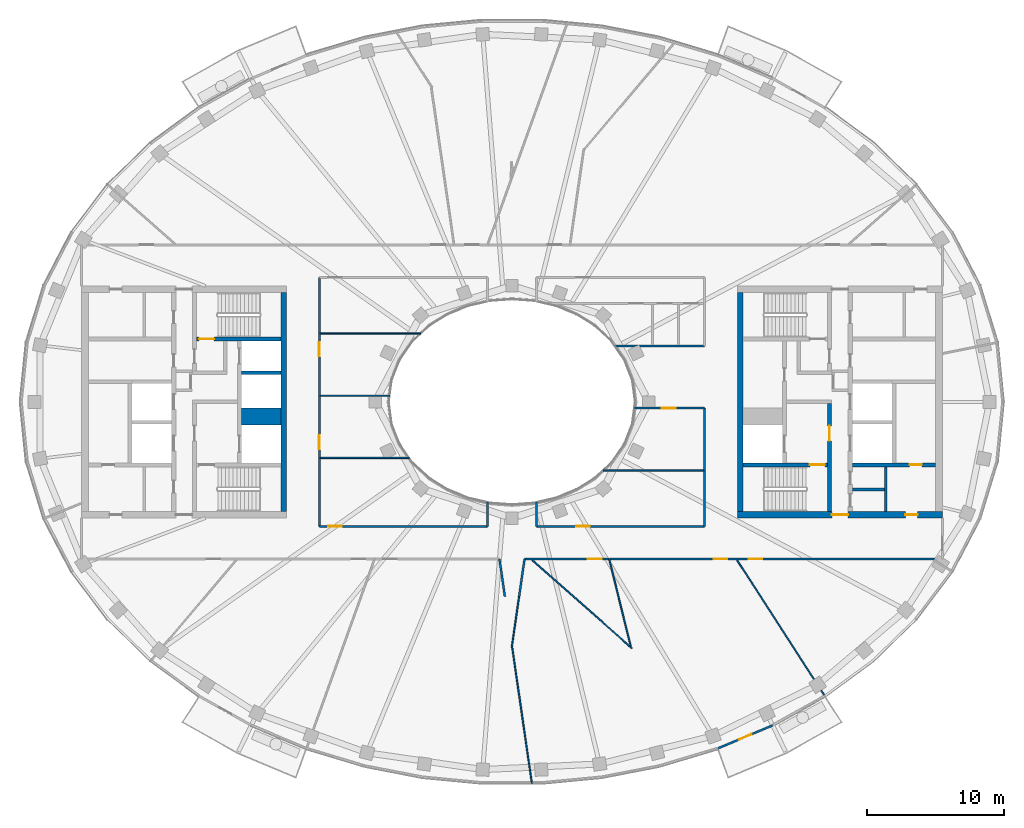
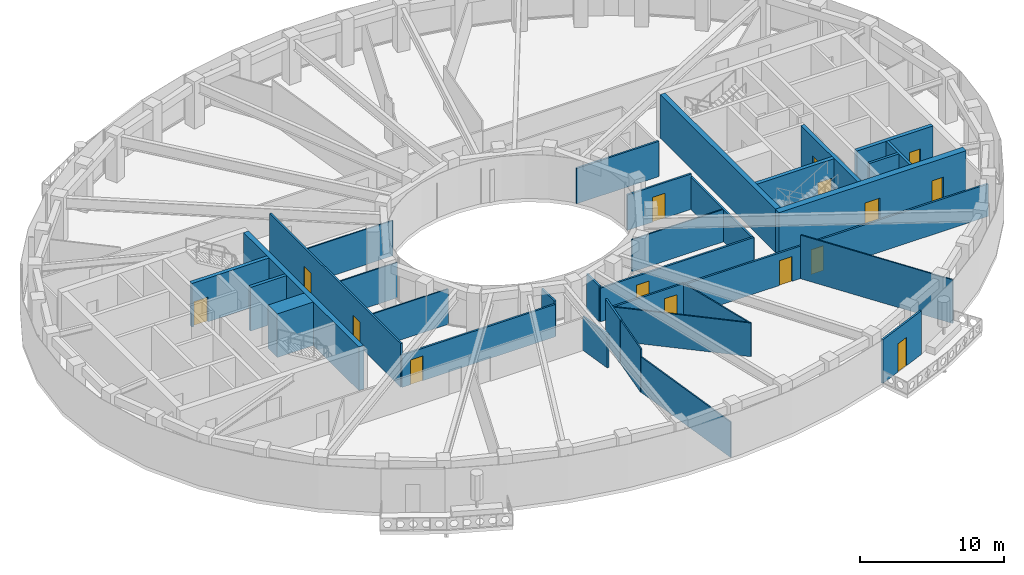
# One storey, part 4 of 15: 33 walls, 15 doors, 15 openings.
"""IFC4 building model written with IfcOpenShell, lengths in metres."""

from ifc_helpers import new_model, si_unit, direction, frame, frame_2d, origin, place, context, subcontext, project, spatial, rectangle, extrude, material, layer, layer_set, type_object, element, fill, save


model = new_model("IFC4")

# Units and contexts
model_context = context("Model", 3, precision=1e-05, world=origin(), true_north=direction((0.0, 1.0)))
body_context = subcontext(model_context, "Body", "Model", "MODEL_VIEW")
ifc_project = project(units=[si_unit("LENGTHUNIT", "METRE"), si_unit("AREAUNIT", "SQUARE_METRE"), si_unit("VOLUMEUNIT", "CUBIC_METRE"), si_unit("PLANEANGLEUNIT", "RADIAN"), si_unit("MASSUNIT", "GRAM", prefix="KILO")], contexts=[model_context])

# Site, building, storey
site_placement = place(None, origin())
site = spatial("IfcSite", under=ifc_project, at=site_placement, CompositionType="ELEMENT")
building_placement = place(site_placement, origin())
building = spatial("IfcBuilding", under=site, at=building_placement, Name="Noorbagh Ring Tower", CompositionType="ELEMENT")
storey_placement = place(building_placement, frame((0.0, 0.0, 295.0)))
storey = spatial("IfcBuildingStorey", under=building, at=storey_placement, Name="L63", CompositionType="ELEMENT", Elevation=295.0)

# Walls
ifc_material_1 = material(Name="Gypsum board on steel studs", Category="steel")
ifc_layer_1 = layer(ifc_material_1, 0.199951171875)
ifc_layer_set_1 = layer_set([ifc_layer_1], Name="Gypsum board on steel studs")
wall_type_1 = type_object("IfcWallType", Name="CORE-PARTITION-200", PredefinedType="PARTITIONING", material=ifc_layer_set_1)
wall_1_placement = place(storey_placement, frame((27.35009765625, -8.0, 0.0), z_axis=(0.0, 0.0, 1.0), x_axis=(0.0, 1.0, 0.0)))
element("IfcWall", 1, at=wall_1_placement, inside=storey, type_object=wall_type_1, Name="Core partition E", PredefinedType="PARTITIONING", context=body_context, shape_type="SweptSolid", body=[
    extrude(rectangle(XDim=3.25, YDim=0.199951171875, at=frame_2d((1.625, 0.0))), origin(), (0.0, 0.0, 1.0), 3.699951171875),
])
wall_2_placement = place(storey_placement, frame((24.89990234375, -6.39990234375, 0.0), z_axis=(0.0, 0.0, 1.0), x_axis=(1.0, 0.0, 0.0)))
element("IfcWall", 2, at=wall_2_placement, inside=storey, type_object=wall_type_1, Name="Core partition E", PredefinedType="PARTITIONING", context=body_context, shape_type="SweptSolid", body=[
    extrude(rectangle(XDim=2.35009765625, YDim=0.199951171875, at=frame_2d((1.175048828125, 0.0))), origin(), (0.0, 0.0, 1.0), 3.699951171875),
])
ifc_material_2 = material(Name="Concrete C50/60", Category="concrete")
ifc_layer_2 = layer(ifc_material_2, 1.25)
ifc_layer_set_2 = layer_set([ifc_layer_2], Name="Concrete C50/60")
wall_type_2 = type_object("IfcWallType", Name="CORE-WALL-1250-C50-60-EI120", PredefinedType="SHEAR", material=ifc_layer_set_2)
wall_3_placement = place(storey_placement, frame((-16.89990234375, -1.074951171875, 0.0), z_axis=(0.0, 0.0, 1.0), x_axis=(-1.0, 0.0, 0.0)))
element("IfcWall", 3, at=wall_3_placement, inside=storey, type_object=wall_type_2, Name="Core wall W", PredefinedType="SHEAR", context=body_context, shape_type="SweptSolid", body=[
    extrude(rectangle(XDim=2.900146484375, YDim=1.25, at=frame_2d((1.4501953125, 0.0))), origin(), (0.0, 0.0, 1.0), 3.699951171875),
])
ifc_material_3 = material(Name="Concrete C50/60", Category="concrete")
ifc_layer_3 = layer(ifc_material_3, 0.25)
ifc_layer_set_3 = layer_set([ifc_layer_3], Name="Concrete C50/60")
wall_type_3 = type_object("IfcWallType", Name="CORE-WALL-250-C50-60-EI120", PredefinedType="SHEAR", material=ifc_layer_set_3)
wall_4_placement = place(storey_placement, frame((-16.89990234375, 2.125, 0.0), z_axis=(0.0, 0.0, 1.0), x_axis=(-1.0, 0.0, 0.0)))
element("IfcWall", 4, at=wall_4_placement, inside=storey, type_object=wall_type_3, Name="Core wall W", PredefinedType="SHEAR", context=body_context, shape_type="SweptSolid", body=[
    extrude(rectangle(XDim=2.900146484375, YDim=0.25, at=frame_2d((1.4501953125, 0.0))), origin(), (0.0, 0.0, 1.0), 3.699951171875),
])

# Wall, opening, door
ifc_material_4 = material(Name="Concrete C50/60", Category="concrete")
ifc_layer_4 = layer(ifc_material_4, 0.300048828125)
ifc_layer_set_4 = layer_set([ifc_layer_4], Name="Concrete C50/60")
wall_type_4 = type_object("IfcWallType", Name="CORE-WALL-300-C50-60-EI240", PredefinedType="SHEAR", material=ifc_layer_set_4)
wall_5_placement = place(storey_placement, frame((-16.89990234375, 4.60009765625, 0.0), z_axis=(0.0, 0.0, 1.0), x_axis=(-1.0, 0.0, 0.0)))
wall_5 = element("IfcWall", 5, at=wall_5_placement, inside=storey, type_object=wall_type_4, Name="Core wall W", PredefinedType="SHEAR", context=body_context, shape_type="SweptSolid", body=[
    extrude(rectangle(XDim=6.18017578125, YDim=0.300048828125, at=frame_2d((3.090087890625, 0.0))), origin(), (0.0, 0.0, 1.0), 3.699951171875),
])
opening_1_placement = place(wall_5_placement, frame((4.89990234375, 0.0, 0.0)))
opening_1 = element("IfcOpeningElement", 6, at=opening_1_placement, cuts=wall_5, Name="Opening L63-CW05", PredefinedType="OPENING", context=body_context, shape_type="SweptSolid", body=[
    extrude(rectangle(XDim=1.10009765625, YDim=2.10009765625, at=frame_2d((0.550048828125, 1.050048828125))), frame((0.0, 0.16015625, 0.0), z_axis=(0.0, -1.0, 0.0), x_axis=(1.0, 0.0, 0.0)), (0.0, 0.0, 1.0), 0.320068359375),
])
ifc_material_5 = material(Name="Steel door leaf", Category="steel")
door_type_1 = type_object("IfcDoorType", Name="CORE-DOOR-DSTAIR", OperationType="SINGLE_SWING_LEFT", PredefinedType="DOOR", material=ifc_material_5)
door_1_placement = place(opening_1_placement, origin())
door_1 = element("IfcDoor", 7, at=door_1_placement, inside=storey, type_object=door_type_1, Name="Stair door ST1 L63-CW05", OperationType="SINGLE_SWING_RIGHT", OverallHeight=2.10009765625, OverallWidth=1.10009765625, PredefinedType="DOOR", context=body_context, shape_type="SweptSolid", body=[
    extrude(rectangle(XDim=1.10009765625, YDim=2.10009765625, at=frame_2d((0.550048828125, 1.050048828125))), frame((0.0, 0.02490234375, 0.0), z_axis=(0.0, -1.0, 0.0), x_axis=(1.0, 0.0, 0.0)), (0.0, 0.0, 1.0), 0.050048828125),
])
fill(opening_1, door_1)

wall_6_placement = place(storey_placement, frame((24.89990234375, -4.60009765625, 0.0), z_axis=(0.0, 0.0, 1.0), x_axis=(1.0, 0.0, 0.0)))
wall_6 = element("IfcWall", 8, at=wall_6_placement, inside=storey, type_object=wall_type_4, Name="Core wall E", PredefinedType="SHEAR", context=body_context, shape_type="SweptSolid", body=[
    extrude(rectangle(XDim=6.10009765625, YDim=0.300048828125, at=frame_2d((3.050048828125, 0.0))), origin(), (0.0, 0.0, 1.0), 3.699951171875),
])
opening_2_placement = place(wall_6_placement, frame((4.199951171875, 0.0, 0.0)))
opening_2 = element("IfcOpeningElement", 9, at=opening_2_placement, cuts=wall_6, Name="Opening L63-CE18", PredefinedType="OPENING", context=body_context, shape_type="SweptSolid", body=[
    extrude(rectangle(XDim=0.89990234375, YDim=2.10009765625, at=frame_2d((0.449951171875, 1.050048828125))), frame((0.0, 0.16015625, 0.0), z_axis=(0.0, -1.0, 0.0), x_axis=(1.0, 0.0, 0.0)), (0.0, 0.0, 1.0), 0.320068359375),
])
ifc_material_6 = material(Name="Steel door leaf", Category="steel")
door_type_2 = type_object("IfcDoorType", Name="CORE-DOOR-DROOM", OperationType="SINGLE_SWING_LEFT", PredefinedType="DOOR", material=ifc_material_6)
door_2_placement = place(opening_2_placement, origin())
door_2 = element("IfcDoor", 10, at=door_2_placement, inside=storey, type_object=door_type_2, Name="Core room door L63-CE18", OperationType="SINGLE_SWING_LEFT", OverallHeight=2.10009765625, OverallWidth=0.89990234375, PredefinedType="DOOR", context=body_context, shape_type="SweptSolid", body=[
    extrude(rectangle(XDim=0.89990234375, YDim=2.10009765625, at=frame_2d((0.449951171875, 1.050048828125))), frame((0.0, 0.02490234375, 0.0), z_axis=(0.0, -1.0, 0.0), x_axis=(1.0, 0.0, 0.0)), (0.0, 0.0, 1.0), 0.050048828125),
])
fill(opening_2, door_2)

wall_7_placement = place(storey_placement, frame((23.22998046875, -8.0, 0.0), z_axis=(0.0, 0.0, 1.0), x_axis=(0.0, 1.0, 0.0)))
wall_7 = element("IfcWall", 11, at=wall_7_placement, inside=storey, type_object=wall_type_4, Name="Core wall E", PredefinedType="SHEAR", context=body_context, shape_type="SweptSolid", body=[
    extrude(rectangle(XDim=7.875, YDim=0.300048828125, at=frame_2d((3.9375, 0.0))), origin(), (0.0, 0.0, 1.0), 3.699951171875),
])
opening_3_placement = place(wall_7_placement, frame((5.14990234375, 0.0, 0.0)))
opening_3 = element("IfcOpeningElement", 12, at=opening_3_placement, cuts=wall_7, Name="Opening L63-CE06", PredefinedType="OPENING", context=body_context, shape_type="SweptSolid", body=[
    extrude(rectangle(XDim=1.10009765625, YDim=2.10009765625, at=frame_2d((0.550048828125, 1.050048828125))), frame((0.0, 0.16015625, 0.0), z_axis=(0.0, -1.0, 0.0), x_axis=(1.0, 0.0, 0.0)), (0.0, 0.0, 1.0), 0.320068359375),
])
ifc_material_7 = material(Name="Steel door leaf", Category="steel")
door_type_3 = type_object("IfcDoorType", Name="CORE-DOOR-DFF", OperationType="SINGLE_SWING_LEFT", PredefinedType="DOOR", material=ifc_material_7)
door_3_placement = place(opening_3_placement, origin())
door_3 = element("IfcDoor", 13, at=door_3_placement, inside=storey, type_object=door_type_3, Name="Firefighting lobby door L63-CE06", OperationType="SINGLE_SWING_RIGHT", OverallHeight=2.10009765625, OverallWidth=1.10009765625, PredefinedType="DOOR", context=body_context, shape_type="SweptSolid", body=[
    extrude(rectangle(XDim=1.10009765625, YDim=2.10009765625, at=frame_2d((0.550048828125, 1.050048828125))), frame((0.0, 0.02490234375, 0.0), z_axis=(0.0, -1.0, 0.0), x_axis=(1.0, 0.0, 0.0)), (0.0, 0.0, 1.0), 0.050048828125),
])
fill(opening_3, door_3)

wall_8_placement = place(storey_placement, frame((16.89990234375, -4.60009765625, 0.0), z_axis=(0.0, 0.0, 1.0), x_axis=(1.0, 0.0, 0.0)))
wall_8 = element("IfcWall", 14, at=wall_8_placement, inside=storey, type_object=wall_type_4, Name="Core wall E", PredefinedType="SHEAR", context=body_context, shape_type="SweptSolid", body=[
    extrude(rectangle(XDim=6.18017578125, YDim=0.300048828125, at=frame_2d((3.090087890625, 0.0))), origin(), (0.0, 0.0, 1.0), 3.699951171875),
])
opening_4_placement = place(wall_8_placement, frame((4.89990234375, 0.0, 0.0)))
opening_4 = element("IfcOpeningElement", 15, at=opening_4_placement, cuts=wall_8, Name="Opening L63-CE05", PredefinedType="OPENING", context=body_context, shape_type="SweptSolid", body=[
    extrude(rectangle(XDim=1.10009765625, YDim=2.10009765625, at=frame_2d((0.550048828125, 1.050048828125))), frame((0.0, 0.16015625, 0.0), z_axis=(0.0, -1.0, 0.0), x_axis=(1.0, 0.0, 0.0)), (0.0, 0.0, 1.0), 0.320068359375),
])
door_4_placement = place(opening_4_placement, origin())
door_4 = element("IfcDoor", 16, at=door_4_placement, inside=storey, type_object=door_type_1, Name="Stair door ST4 L63-CE05", OperationType="SINGLE_SWING_RIGHT", OverallHeight=2.10009765625, OverallWidth=1.10009765625, PredefinedType="DOOR", context=body_context, shape_type="SweptSolid", body=[
    extrude(rectangle(XDim=1.10009765625, YDim=2.10009765625, at=frame_2d((0.550048828125, 1.050048828125))), frame((0.0, 0.02490234375, 0.0), z_axis=(0.0, -1.0, 0.0), x_axis=(1.0, 0.0, 0.0)), (0.0, 0.0, 1.0), 0.050048828125),
])
fill(opening_4, door_4)

# Walls
ifc_material_8 = material(Name="Concrete C50/60", Category="concrete")
ifc_layer_5 = layer(ifc_material_8, 0.39990234375)
ifc_layer_set_5 = layer_set([ifc_layer_5], Name="Concrete C50/60")
wall_type_5 = type_object("IfcWallType", Name="CORE-WALL-400-C50-60-EI240", PredefinedType="SHEAR", material=ifc_layer_set_5)
for number, where, z_axis, x_axis, name in (
    (17, (-16.699951171875, -8.0, 0.0), (0.0, 0.0, 1.0), (0.0, 1.0, 0.0), "Core wall W"),
    (18, (16.699951171875, -8.0, 0.0), (0.0, 0.0, 1.0), (0.0, 1.0, 0.0), "Core wall E"),
):
    element("IfcWall", number, at=place(storey_placement, frame(where, z_axis=z_axis, x_axis=x_axis)), inside=storey, type_object=wall_type_5, Name=name, PredefinedType="SHEAR", context=body_context, shape_type="SweptSolid", body=[
        extrude(rectangle(XDim=16.0, YDim=0.39990234375, at=frame_2d((8.0, 0.0))), origin(), (0.0, 0.0, 1.0), 3.699951171875),
    ])

# Wall, openings, doors
ifc_material_9 = material(Name="Concrete C50/60", Category="concrete")
ifc_layer_6 = layer(ifc_material_9, 0.5)
ifc_layer_set_6 = layer_set([ifc_layer_6], Name="Concrete C50/60")
wall_type_6 = type_object("IfcWallType", Name="CORE-WALL-500-C50-60-EI240", PredefinedType="SHEAR", material=ifc_layer_set_6)
wall_9_placement = place(storey_placement, frame((16.5, -8.25, 0.0), z_axis=(0.0, 0.0, 1.0), x_axis=(1.0, 0.0, 0.0)))
wall_9 = element("IfcWall", 19, at=wall_9_placement, inside=storey, type_object=wall_type_6, Name="Core wall E", PredefinedType="SHEAR", context=body_context, shape_type="SweptSolid", body=[
    extrude(rectangle(XDim=15.0, YDim=0.5, at=frame_2d((7.5, 0.0))), origin(), (0.0, 0.0, 1.0), 3.699951171875),
])
opening_5_placement = place(wall_9_placement, frame((6.89990234375, 0.0, 0.0)))
opening_5 = element("IfcOpeningElement", 20, at=opening_5_placement, cuts=wall_9, Name="Opening L63-CE09", PredefinedType="OPENING", context=body_context, shape_type="SweptSolid", body=[
    extrude(rectangle(XDim=1.199951171875, YDim=2.10009765625, at=frame_2d((0.60009765625, 1.050048828125))), frame((0.0, 0.260009765625, 0.0), z_axis=(0.0, -1.0, 0.0), x_axis=(1.0, 0.0, 0.0)), (0.0, 0.0, 1.0), 0.52001953125),
])
opening_6_placement = place(wall_9_placement, frame((12.27490234375, 0.0, 0.0)))
opening_6 = element("IfcOpeningElement", 21, at=opening_6_placement, cuts=wall_9, Name="Opening L63-CE16", PredefinedType="OPENING", context=body_context, shape_type="SweptSolid", body=[
    extrude(rectangle(XDim=0.89990234375, YDim=2.10009765625, at=frame_2d((0.449951171875, 1.050048828125))), frame((0.0, 0.260009765625, 0.0), z_axis=(0.0, -1.0, 0.0), x_axis=(1.0, 0.0, 0.0)), (0.0, 0.0, 1.0), 0.52001953125),
])
door_5_placement = place(opening_6_placement, origin())
door_5 = element("IfcDoor", 22, at=door_5_placement, inside=storey, type_object=door_type_2, Name="Core room door L63-CE16", OperationType="SINGLE_SWING_RIGHT", OverallHeight=2.10009765625, OverallWidth=0.89990234375, PredefinedType="DOOR", context=body_context, shape_type="SweptSolid", body=[
    extrude(rectangle(XDim=0.89990234375, YDim=2.10009765625, at=frame_2d((0.449951171875, 1.050048828125))), frame((0.0, 0.02490234375, 0.0), z_axis=(0.0, -1.0, 0.0), x_axis=(1.0, 0.0, 0.0)), (0.0, 0.0, 1.0), 0.050048828125),
])
fill(opening_6, door_5)
ifc_material_10 = material(Name="Steel door leaf", Category="steel")
door_type_4 = type_object("IfcDoorType", Name="CORE-DOOR-PORT", OperationType="DOUBLE_DOOR_DOUBLE_SWING", PredefinedType="DOOR", material=ifc_material_10)
door_6_placement = place(opening_5_placement, origin())
door_6 = element("IfcDoor", 23, at=door_6_placement, inside=storey, type_object=door_type_4, Name="Core entrance door L63-CE09", OperationType="DOUBLE_DOOR_DOUBLE_SWING", OverallHeight=2.10009765625, OverallWidth=1.199951171875, PredefinedType="DOOR", context=body_context, shape_type="SweptSolid", body=[
    extrude(rectangle(XDim=1.199951171875, YDim=2.10009765625, at=frame_2d((0.60009765625, 1.050048828125))), frame((0.0, 0.02490234375, 0.0), z_axis=(0.0, -1.0, 0.0), x_axis=(1.0, 0.0, 0.0)), (0.0, 0.0, 1.0), 0.050048828125),
])
fill(opening_5, door_6)

ifc_material_11 = material(Name="Gypsum board on steel studs", Category="steel")
ifc_layer_7 = layer(ifc_material_11, 0.14990234375)
ifc_layer_set_7 = layer_set([ifc_layer_7], Name="Gypsum board on steel studs")
wall_type_7 = type_object("IfcWallType", Name="CORRIDOR PARTITION 150 EI 30", PredefinedType="PARTITIONING", material=ifc_layer_set_7)
wall_10_placement = place(storey_placement, frame((-14.10009765625, -9.10009765625, 0.0), z_axis=(0.0, 0.0, 1.0), x_axis=(0.0, 1.0, 0.0)))
wall_10 = element("IfcWall", 24, at=wall_10_placement, inside=storey, type_object=wall_type_7, Name="L63/wall/P09", PredefinedType="PARTITIONING", context=body_context, shape_type="SweptSolid", body=[
    extrude(rectangle(XDim=18.2001953125, YDim=0.14990234375, at=frame_2d((9.10009765625, 0.0))), origin(), (0.0, 0.0, 1.0), 3.699951171875),
])
opening_7_placement = place(wall_10_placement, frame((5.655029296875, 0.0, 0.0)))
opening_7 = element("IfcOpeningElement", 25, at=opening_7_placement, cuts=wall_10, Name="Opening D1", PredefinedType="OPENING", context=body_context, shape_type="SweptSolid", body=[
    extrude(rectangle(XDim=1.0, YDim=2.10009765625, at=frame_2d((0.5, 1.050048828125))), frame((0.0, 0.0849609375, 0.0), z_axis=(0.0, -1.0, 0.0), x_axis=(1.0, 0.0, 0.0)), (0.0, 0.0, 1.0), 0.169921875),
])
opening_8_placement = place(wall_10_placement, frame((12.455078125, 0.0, 0.0)))
opening_8 = element("IfcOpeningElement", 26, at=opening_8_placement, cuts=wall_10, Name="Opening D1", PredefinedType="OPENING", context=body_context, shape_type="SweptSolid", body=[
    extrude(rectangle(XDim=1.0, YDim=2.10009765625, at=frame_2d((0.5, 1.050048828125))), frame((0.0, 0.0849609375, 0.0), z_axis=(0.0, -1.0, 0.0), x_axis=(1.0, 0.0, 0.0)), (0.0, 0.0, 1.0), 0.169921875),
])
ifc_material_12 = material(Name="Timber, painted", Category="wood")
door_type_5 = type_object("IfcDoorType", Name="DOOR 1000 X 2100 FD30", OperationType="SINGLE_SWING_LEFT", PredefinedType="DOOR", material=ifc_material_12)
door_7_placement = place(opening_7_placement, origin())
door_7 = element("IfcDoor", 27, at=door_7_placement, inside=storey, type_object=door_type_5, Name="L63-D19", OperationType="SINGLE_SWING_LEFT", OverallHeight=2.10009765625, OverallWidth=1.0, PredefinedType="DOOR", context=body_context, shape_type="SweptSolid", body=[
    extrude(rectangle(XDim=1.0, YDim=2.10009765625, at=frame_2d((0.5, 1.050048828125))), frame((0.0, 0.02490234375, 0.0), z_axis=(0.0, -1.0, 0.0), x_axis=(1.0, 0.0, 0.0)), (0.0, 0.0, 1.0), 0.050048828125),
])
fill(opening_7, door_7)
door_8_placement = place(opening_8_placement, origin())
door_8 = element("IfcDoor", 28, at=door_8_placement, inside=storey, type_object=door_type_5, Name="L63-D20", OperationType="SINGLE_SWING_RIGHT", OverallHeight=2.10009765625, OverallWidth=1.0, PredefinedType="DOOR", context=body_context, shape_type="SweptSolid", body=[
    extrude(rectangle(XDim=1.0, YDim=2.10009765625, at=frame_2d((0.5, 1.050048828125))), frame((0.0, 0.02490234375, 0.0), z_axis=(0.0, -1.0, 0.0), x_axis=(1.0, 0.0, 0.0)), (0.0, 0.0, 1.0), 0.050048828125),
])
fill(opening_8, door_8)

# Wall, opening, door
wall_11_placement = place(storey_placement, frame((-14.10009765625, -9.10009765625, 0.0), z_axis=(0.0, 0.0, 1.0), x_axis=(1.0, 0.0, 0.0)))
wall_11 = element("IfcWall", 29, at=wall_11_placement, inside=storey, type_object=wall_type_7, Name="L63/wall/P10", PredefinedType="PARTITIONING", context=body_context, shape_type="SweptSolid", body=[
    extrude(rectangle(XDim=12.300048828125, YDim=0.14990234375, at=frame_2d((6.14990234375, 0.0))), origin(), (0.0, 0.0, 1.0), 2.75),
])
opening_9_placement = place(wall_11_placement, frame((0.64990234375, 0.0, 0.0)))
opening_9 = element("IfcOpeningElement", 30, at=opening_9_placement, cuts=wall_11, Name="Opening D1", PredefinedType="OPENING", context=body_context, shape_type="SweptSolid", body=[
    extrude(rectangle(XDim=1.0, YDim=2.10009765625, at=frame_2d((0.5, 1.050048828125))), frame((0.0, 0.0849609375, 0.0), z_axis=(0.0, -1.0, 0.0), x_axis=(1.0, 0.0, 0.0)), (0.0, 0.0, 1.0), 0.169921875),
])
door_9_placement = place(opening_9_placement, origin())
door_9 = element("IfcDoor", 31, at=door_9_placement, inside=storey, type_object=door_type_5, Name="L63-D18", OperationType="SINGLE_SWING_RIGHT", OverallHeight=2.10009765625, OverallWidth=1.0, PredefinedType="DOOR", context=body_context, shape_type="SweptSolid", body=[
    extrude(rectangle(XDim=1.0, YDim=2.10009765625, at=frame_2d((0.5, 1.050048828125))), frame((0.0, 0.02490234375, 0.0), z_axis=(0.0, -1.0, 0.0), x_axis=(1.0, 0.0, 0.0)), (0.0, 0.0, 1.0), 0.050048828125),
])
fill(opening_9, door_9)

# Walls
wall_12_placement = place(storey_placement, frame((-1.800048828125, -9.10009765625, 0.0), z_axis=(0.0, 0.0, 1.0), x_axis=(0.0, 1.0, 0.0)))
element("IfcWall", 32, at=wall_12_placement, inside=storey, type_object=wall_type_7, Name="L63/wall/P19", PredefinedType="PARTITIONING", context=body_context, shape_type="SweptSolid", body=[
    extrude(rectangle(XDim=1.76416015625, YDim=0.14990234375, at=frame_2d((0.882080078125, 0.0))), origin(), (0.0, 0.0, 1.0), 3.0),
])
wall_13_placement = place(storey_placement, frame((-0.9169921875, -11.5, 0.0), z_axis=(0.0, 0.0, 1.0), x_axis=(0.143333974909, -0.989674376569, 0.0)))
element("IfcWall", 33, at=wall_13_placement, inside=storey, type_object=wall_type_7, Name="L63/wall/P23", PredefinedType="PARTITIONING", context=body_context, shape_type="SweptSolid", body=[
    extrude(rectangle(XDim=2.76953125, YDim=0.14990234375, at=frame_2d((1.384765625, 0.0))), origin(), (0.0, 0.0, 1.0), 2.85009765625),
])
wall_14_placement = place(storey_placement, frame((0.51904296875, -14.24609375, 0.0), z_axis=(0.0, 0.0, 1.0), x_axis=(0.14341658309, 0.989662408953, 0.0)))
element("IfcWall", 34, at=wall_14_placement, inside=storey, type_object=wall_type_7, Name="L63/wall/P28", PredefinedType="PARTITIONING", context=body_context, shape_type="SweptSolid", body=[
    extrude(rectangle(XDim=2.774658203125, YDim=0.14990234375, at=frame_2d((1.38720703125, 0.0))), origin(), (0.0, 0.0, 1.0), 3.699951171875),
])

# Wall, opening, door
wall_15_placement = place(storey_placement, frame((0.9169921875, -11.5, 0.0), z_axis=(0.0, 0.0, 1.0), x_axis=(1.0, 0.0, 0.0)))
wall_15 = element("IfcWall", 35, at=wall_15_placement, inside=storey, type_object=wall_type_7, Name="L63/wall/P29", PredefinedType="PARTITIONING", context=body_context, shape_type="SweptSolid", body=[
    extrude(rectangle(XDim=6.195068359375, YDim=0.14990234375, at=frame_2d((3.09765625, 0.0))), origin(), (0.0, 0.0, 1.0), 2.85009765625),
])
opening_10_placement = place(wall_15_placement, frame((4.635986328125, 0.0, 0.0)))
opening_10 = element("IfcOpeningElement", 36, at=opening_10_placement, cuts=wall_15, Name="Opening D1", PredefinedType="OPENING", context=body_context, shape_type="SweptSolid", body=[
    extrude(rectangle(XDim=1.0, YDim=2.10009765625, at=frame_2d((0.5, 1.050048828125))), frame((0.0, 0.0849609375, 0.0), z_axis=(0.0, -1.0, 0.0), x_axis=(1.0, 0.0, 0.0)), (0.0, 0.0, 1.0), 0.169921875),
])
door_10_placement = place(opening_10_placement, origin())
door_10 = element("IfcDoor", 37, at=door_10_placement, inside=storey, type_object=door_type_5, Name="L63-D12", OperationType="SINGLE_SWING_RIGHT", OverallHeight=2.10009765625, OverallWidth=1.0, PredefinedType="DOOR", context=body_context, shape_type="SweptSolid", body=[
    extrude(rectangle(XDim=1.0, YDim=2.10009765625, at=frame_2d((0.5, 1.050048828125))), frame((0.0, 0.02490234375, 0.0), z_axis=(0.0, -1.0, 0.0), x_axis=(1.0, 0.0, 0.0)), (0.0, 0.0, 1.0), 0.050048828125),
])
fill(opening_10, door_10)

# Wall
wall_16_placement = place(storey_placement, frame((1.800048828125, -9.10009765625, 0.0), z_axis=(0.0, 0.0, 1.0), x_axis=(0.0, 1.0, 0.0)))
element("IfcWall", 38, at=wall_16_placement, inside=storey, type_object=wall_type_7, Name="L63/wall/P31", PredefinedType="PARTITIONING", context=body_context, shape_type="SweptSolid", body=[
    extrude(rectangle(XDim=1.76416015625, YDim=0.14990234375, at=frame_2d((0.882080078125, 0.0))), origin(), (0.0, 0.0, 1.0), 3.0),
])

# Wall, opening, door
wall_17_placement = place(storey_placement, frame((1.800048828125, -9.10009765625, 0.0), z_axis=(0.0, 0.0, 1.0), x_axis=(1.0, 0.0, 0.0)))
wall_17 = element("IfcWall", 39, at=wall_17_placement, inside=storey, type_object=wall_type_7, Name="L63/wall/P32", PredefinedType="PARTITIONING", context=body_context, shape_type="SweptSolid", body=[
    extrude(rectangle(XDim=12.300048828125, YDim=0.14990234375, at=frame_2d((6.14990234375, 0.0))), origin(), (0.0, 0.0, 1.0), 2.85009765625),
])
opening_11_placement = place(wall_17_placement, frame((2.89990234375, 0.0, 0.0)))
opening_11 = element("IfcOpeningElement", 40, at=opening_11_placement, cuts=wall_17, Name="Opening D1", PredefinedType="OPENING", context=body_context, shape_type="SweptSolid", body=[
    extrude(rectangle(XDim=1.0, YDim=2.10009765625, at=frame_2d((0.5, 1.050048828125))), frame((0.0, 0.0849609375, 0.0), z_axis=(0.0, -1.0, 0.0), x_axis=(1.0, 0.0, 0.0)), (0.0, 0.0, 1.0), 0.169921875),
])
door_11_placement = place(opening_11_placement, origin())
door_11 = element("IfcDoor", 41, at=door_11_placement, inside=storey, type_object=door_type_5, Name="L63-D22", OperationType="SINGLE_SWING_RIGHT", OverallHeight=2.10009765625, OverallWidth=1.0, PredefinedType="DOOR", context=body_context, shape_type="SweptSolid", body=[
    extrude(rectangle(XDim=1.0, YDim=2.10009765625, at=frame_2d((0.5, 1.050048828125))), frame((0.0, 0.02490234375, 0.0), z_axis=(0.0, -1.0, 0.0), x_axis=(1.0, 0.0, 0.0)), (0.0, 0.0, 1.0), 0.050048828125),
])
fill(opening_11, door_11)

# Wall, openings, doors
wall_18_placement = place(storey_placement, frame((7.12890625, -11.5, 0.0), z_axis=(0.0, 0.0, 1.0), x_axis=(1.0, 0.0, 0.0)))
wall_18 = element("IfcWall", 42, at=wall_18_placement, inside=storey, type_object=wall_type_7, Name="L63/wall/P41", PredefinedType="PARTITIONING", context=body_context, shape_type="SweptSolid", body=[
    extrude(rectangle(XDim=24.37109375, YDim=0.14990234375, at=frame_2d((12.185546875, 0.0))), origin(), (0.0, 0.0, 1.0), 2.75),
])
opening_12_placement = place(wall_18_placement, frame((7.633056640625, 0.0, 0.0)))
opening_12 = element("IfcOpeningElement", 43, at=opening_12_placement, cuts=wall_18, Name="Opening D1", PredefinedType="OPENING", context=body_context, shape_type="SweptSolid", body=[
    extrude(rectangle(XDim=1.0, YDim=2.10009765625, at=frame_2d((0.5, 1.050048828125))), frame((0.0, 0.0849609375, 0.0), z_axis=(0.0, -1.0, 0.0), x_axis=(1.0, 0.0, 0.0)), (0.0, 0.0, 1.0), 0.169921875),
])
opening_13_placement = place(wall_18_placement, frame((10.195068359375, 0.0, 0.0)))
opening_13 = element("IfcOpeningElement", 44, at=opening_13_placement, cuts=wall_18, Name="Opening D1", PredefinedType="OPENING", context=body_context, shape_type="SweptSolid", body=[
    extrude(rectangle(XDim=1.0, YDim=2.10009765625, at=frame_2d((0.5, 1.050048828125))), frame((0.0, 0.0849609375, 0.0), z_axis=(0.0, -1.0, 0.0), x_axis=(1.0, 0.0, 0.0)), (0.0, 0.0, 1.0), 0.169921875),
])
door_12_placement = place(opening_12_placement, origin())
door_12 = element("IfcDoor", 45, at=door_12_placement, inside=storey, type_object=door_type_5, Name="L63-D14", OperationType="SINGLE_SWING_RIGHT", OverallHeight=2.10009765625, OverallWidth=1.0, PredefinedType="DOOR", context=body_context, shape_type="SweptSolid", body=[
    extrude(rectangle(XDim=1.0, YDim=2.10009765625, at=frame_2d((0.5, 1.050048828125))), frame((0.0, 0.02490234375, 0.0), z_axis=(0.0, -1.0, 0.0), x_axis=(1.0, 0.0, 0.0)), (0.0, 0.0, 1.0), 0.050048828125),
])
fill(opening_12, door_12)
door_13_placement = place(opening_13_placement, origin())
door_13 = element("IfcDoor", 46, at=door_13_placement, inside=storey, type_object=door_type_5, Name="L63-D15", OperationType="SINGLE_SWING_LEFT", OverallHeight=2.10009765625, OverallWidth=1.0, PredefinedType="DOOR", context=body_context, shape_type="SweptSolid", body=[
    extrude(rectangle(XDim=1.0, YDim=2.10009765625, at=frame_2d((0.5, 1.050048828125))), frame((0.0, 0.02490234375, 0.0), z_axis=(0.0, -1.0, 0.0), x_axis=(1.0, 0.0, 0.0)), (0.0, 0.0, 1.0), 0.050048828125),
])
fill(opening_13, door_13)

# Wall
wall_19_placement = place(storey_placement, frame((7.4970703125, 4.094970703125, 0.0), z_axis=(0.0, 0.0, 1.0), x_axis=(1.0, 0.0, 0.0)))
element("IfcWall", 47, at=wall_19_placement, inside=storey, type_object=wall_type_7, Name="L63/wall/P42", PredefinedType="PARTITIONING", context=body_context, shape_type="SweptSolid", body=[
    extrude(rectangle(XDim=6.60302734375, YDim=0.14990234375, at=frame_2d((3.301513671875, 0.0))), origin(), (0.0, 0.0, 1.0), 3.0),
])

# Wall, opening, door
wall_20_placement = place(storey_placement, frame((8.945068359375, -0.455078125, 0.0), z_axis=(0.0, 0.0, 1.0), x_axis=(1.0, 0.0, 0.0)))
wall_20 = element("IfcWall", 48, at=wall_20_placement, inside=storey, type_object=wall_type_7, Name="L63/wall/P43", PredefinedType="PARTITIONING", context=body_context, shape_type="SweptSolid", body=[
    extrude(rectangle(XDim=5.155029296875, YDim=0.14990234375, at=frame_2d((2.57763671875, 0.0))), origin(), (0.0, 0.0, 1.0), 3.0),
])
opening_14_placement = place(wall_20_placement, frame((2.02099609375, 0.0, 0.0)))
opening_14 = element("IfcOpeningElement", 49, at=opening_14_placement, cuts=wall_20, Name="Opening D1", PredefinedType="OPENING", context=body_context, shape_type="SweptSolid", body=[
    extrude(rectangle(XDim=1.0, YDim=2.10009765625, at=frame_2d((0.5, 1.050048828125))), frame((0.0, 0.0849609375, 0.0), z_axis=(0.0, -1.0, 0.0), x_axis=(1.0, 0.0, 0.0)), (0.0, 0.0, 1.0), 0.169921875),
])
door_14_placement = place(opening_14_placement, origin())
door_14 = element("IfcDoor", 50, at=door_14_placement, inside=storey, type_object=door_type_5, Name="L63-D23", OperationType="SINGLE_SWING_LEFT", OverallHeight=2.10009765625, OverallWidth=1.0, PredefinedType="DOOR", context=body_context, shape_type="SweptSolid", body=[
    extrude(rectangle(XDim=1.0, YDim=2.10009765625, at=frame_2d((0.5, 1.050048828125))), frame((0.0, 0.02490234375, 0.0), z_axis=(0.0, -1.0, 0.0), x_axis=(1.0, 0.0, 0.0)), (0.0, 0.0, 1.0), 0.050048828125),
])
fill(opening_14, door_14)

# Wall
wall_21_placement = place(storey_placement, frame((14.10009765625, -9.10009765625, 0.0), z_axis=(0.0, 0.0, 1.0), x_axis=(0.0, 1.0, 0.0)))
element("IfcWall", 51, at=wall_21_placement, inside=storey, type_object=wall_type_7, Name="L63/wall/P46", PredefinedType="PARTITIONING", context=body_context, shape_type="SweptSolid", body=[
    extrude(rectangle(XDim=8.64501953125, YDim=0.14990234375, at=frame_2d((4.322509765625, 0.0))), origin(), (0.0, 0.0, 1.0), 2.75),
])

# Wall, opening, door
ifc_material_13 = material(Name="Insulated aluminium clad panel", Category="aluminium")
ifc_layer_8 = layer(ifc_material_13, 0.14990234375)
ifc_layer_set_8 = layer_set([ifc_layer_8], Name="Insulated aluminium clad panel")
wall_type_8 = type_object("IfcWallType", Name="ENV-WALL-DOOR", PredefinedType="STANDARD", material=ifc_layer_set_8)
wall_22_placement = place(storey_placement, frame((15.017822265625, -25.368896484375, 0.0), z_axis=(0.0, 0.0, 1.0), x_axis=(0.921816985161, 0.387625393736, 0.0)))
wall_22 = element("IfcWall", 52, at=wall_22_placement, inside=storey, type_object=wall_type_8, Name="Balcony door wall chord 39", PredefinedType="STANDARD", context=body_context, shape_type="SweptSolid", body=[
    extrude(rectangle(XDim=4.42578125, YDim=0.14990234375, at=frame_2d((2.212890625, 0.0))), origin(), (0.0, 0.0, 1.0), 3.699951171875),
])
opening_15_placement = place(wall_22_placement, frame((1.712890625, 0.0, 0.0)))
opening_15 = element("IfcOpeningElement", 53, at=opening_15_placement, cuts=wall_22, Name="Opening D-BL", PredefinedType="OPENING", context=body_context, shape_type="SweptSolid", body=[
    extrude(rectangle(XDim=1.0, YDim=2.39990234375, at=frame_2d((0.5, 1.199951171875))), frame((0.0, 0.0849609375, 0.0), z_axis=(0.0, -1.0, 0.0), x_axis=(1.0, 0.0, 0.0)), (0.0, 0.0, 1.0), 0.169921875),
])
ifc_material_14 = material(Name="Aluminium and glass", Category="aluminium")
door_type_6 = type_object("IfcDoorType", Name="ENV-DOOR-BALCONY", OperationType="SINGLE_SWING_LEFT", PredefinedType="DOOR", material=ifc_material_14)
door_15_placement = place(opening_15_placement, origin())
door_15 = element("IfcDoor", 54, at=door_15_placement, inside=storey, type_object=door_type_6, Name="Balcony door chord 39", OperationType="SINGLE_SWING_RIGHT", OverallHeight=2.39990234375, OverallWidth=1.0, PredefinedType="DOOR", context=body_context, shape_type="SweptSolid", body=[
    extrude(rectangle(XDim=1.0, YDim=2.39990234375, at=frame_2d((0.5, 1.199951171875))), frame((0.0, 0.02490234375, 0.0), z_axis=(0.0, -1.0, 0.0), x_axis=(1.0, 0.0, 0.0)), (0.0, 0.0, 1.0), 0.050048828125),
])
fill(opening_15, door_15)

# Walls
ifc_material_15 = material(Name="Gypsum board on steel studs", Category="steel")
ifc_layer_9 = layer(ifc_material_15, 0.10009765625)
ifc_layer_set_9 = layer_set([ifc_layer_9], Name="Gypsum board on steel studs")
wall_type_9 = type_object("IfcWallType", Name="PARTITION 100 GYPSUM", PredefinedType="PARTITIONING", material=ifc_layer_set_9)
wall_23_placement = place(storey_placement, frame((-14.02490234375, -4.094970703125, 0.0), z_axis=(0.0, 0.0, 1.0), x_axis=(1.0, 0.0, 0.0)))
element("IfcWall", 55, at=wall_23_placement, inside=storey, type_object=wall_type_9, Name="L63/wall/P11", PredefinedType="PARTITIONING", context=body_context, shape_type="SweptSolid", body=[
    extrude(rectangle(XDim=6.52392578125, YDim=0.10009765625, at=frame_2d((3.261962890625, 0.0))), origin(), (0.0, 0.0, 1.0), 3.0),
])
wall_24_placement = place(storey_placement, frame((-14.02490234375, 0.455078125, 0.0), z_axis=(0.0, 0.0, 1.0), x_axis=(1.0, 0.0, 0.0)))
element("IfcWall", 56, at=wall_24_placement, inside=storey, type_object=wall_type_9, Name="L63/wall/P12", PredefinedType="PARTITIONING", context=body_context, shape_type="SweptSolid", body=[
    extrude(rectangle(XDim=5.079833984375, YDim=0.10009765625, at=frame_2d((2.5400390625, 0.0))), origin(), (0.0, 0.0, 1.0), 3.0),
])
wall_25_placement = place(storey_placement, frame((-14.02490234375, 5.0048828125, 0.0), z_axis=(0.0, 0.0, 1.0), x_axis=(1.0, 0.0, 0.0)))
element("IfcWall", 57, at=wall_25_placement, inside=storey, type_object=wall_type_9, Name="L63/wall/P13", PredefinedType="PARTITIONING", context=body_context, shape_type="SweptSolid", body=[
    extrude(rectangle(XDim=7.3408203125, YDim=0.10009765625, at=frame_2d((3.67041015625, 0.0))), origin(), (0.0, 0.0, 1.0), 3.0),
])
wall_26_placement = place(storey_placement, frame((-0.02001953125, -17.98388671875, 0.0), z_axis=(0.0, 0.0, 1.0), x_axis=(0.142959355808, 0.989728560054, 0.0)))
element("IfcWall", 58, at=wall_26_placement, inside=storey, type_object=wall_type_9, Name="L63/wall/P26", PredefinedType="PARTITIONING", context=body_context, shape_type="SweptSolid", body=[
    extrude(rectangle(XDim=3.777587890625, YDim=0.10009765625, at=frame_2d((1.888671875, 0.0))), origin(), (0.0, 0.0, 1.0), 3.699951171875),
])
wall_27_placement = place(storey_placement, frame((0.02001953125, -17.98388671875, 0.0), z_axis=(0.0, 0.0, 1.0), x_axis=(0.143001630517, -0.989722452847, 0.0)))
element("IfcWall", 59, at=wall_27_placement, inside=storey, type_object=wall_type_9, Name="L63/wall/P27", PredefinedType="PARTITIONING", context=body_context, shape_type="SweptSolid", body=[
    extrude(rectangle(XDim=10.01318359375, YDim=0.10009765625, at=frame_2d((5.006591796875, 0.0))), origin(), (0.0, 0.0, 1.0), 3.0),
])
wall_28_placement = place(storey_placement, frame((1.490966796875, -11.577880859375, 0.0), z_axis=(0.0, 0.0, 1.0), x_axis=(0.749070847305, -0.662489898577, 0.0)))
element("IfcWall", 60, at=wall_28_placement, inside=storey, type_object=wall_type_9, Name="L63/wall/P30", PredefinedType="PARTITIONING", context=body_context, shape_type="SweptSolid", body=[
    extrude(rectangle(XDim=9.72265625, YDim=0.10009765625, at=frame_2d((4.861328125, 0.0))), origin(), (0.0, 0.0, 1.0), 2.85009765625),
])
wall_29_placement = place(storey_placement, frame((6.68408203125, -5.0048828125, 0.0), z_axis=(0.0, 0.0, 1.0), x_axis=(1.0, 0.0, 0.0)))
element("IfcWall", 61, at=wall_29_placement, inside=storey, type_object=wall_type_9, Name="L63/wall/P39", PredefinedType="PARTITIONING", context=body_context, shape_type="SweptSolid", body=[
    extrude(rectangle(XDim=7.3408203125, YDim=0.10009765625, at=frame_2d((3.67041015625, 0.0))), origin(), (0.0, 0.0, 1.0), 2.75),
])
wall_30_placement = place(storey_placement, frame((7.112060546875, -11.5, 0.0), z_axis=(0.0, 0.0, 1.0), x_axis=(0.23980569949, -0.970820903407, 0.0)))
element("IfcWall", 62, at=wall_30_placement, inside=storey, type_object=wall_type_9, Name="L63/wall/P40", PredefinedType="PARTITIONING", context=body_context, shape_type="SweptSolid", body=[
    extrude(rectangle(XDim=6.567626953125, YDim=0.10009765625, at=frame_2d((3.28369140625, 0.0))), origin(), (0.0, 0.0, 1.0), 2.85009765625),
])
wall_31_placement = place(storey_placement, frame((16.471923828125, -11.574951171875, 0.0), z_axis=(0.0, 0.0, 1.0), x_axis=(0.54229092728, -0.840190782019, 0.0)))
element("IfcWall", 63, at=wall_31_placement, inside=storey, type_object=wall_type_9, Name="L63/wall/P48", PredefinedType="PARTITIONING", context=body_context, shape_type="SweptSolid", body=[
    extrude(rectangle(XDim=11.86279296875, YDim=0.10009765625, at=frame_2d((5.931396484375, 0.0))), origin(), (0.0, 0.0, 1.0), 3.699951171875),
])

save(model, "model.ifc")
